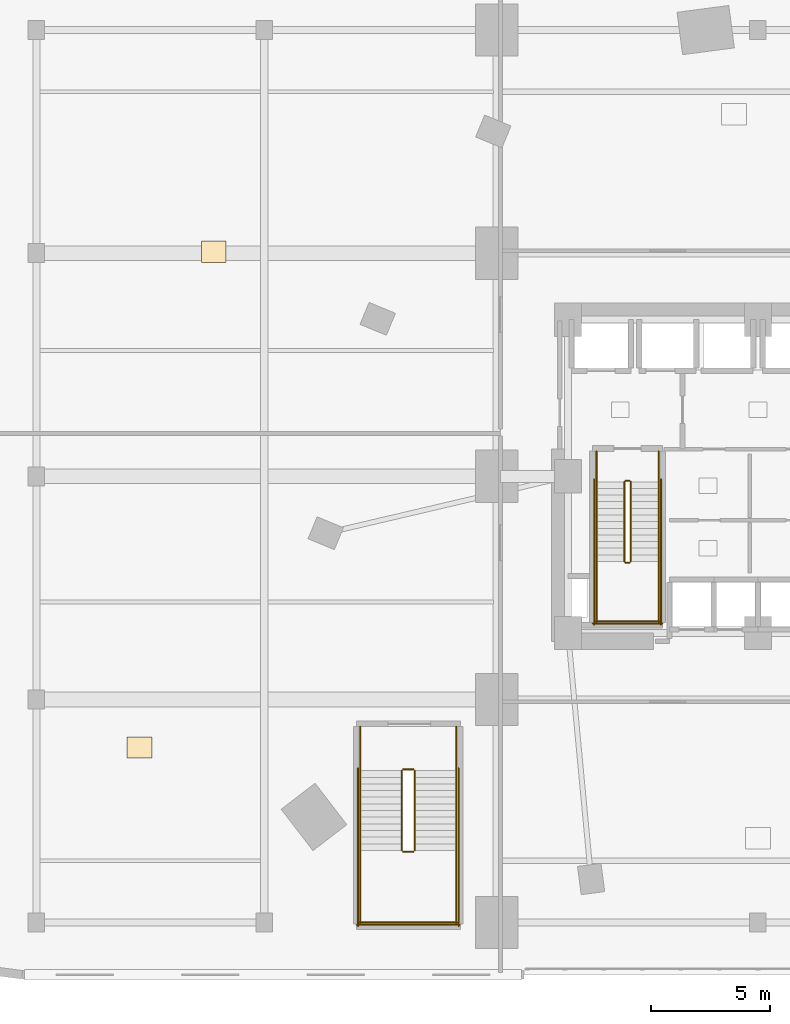
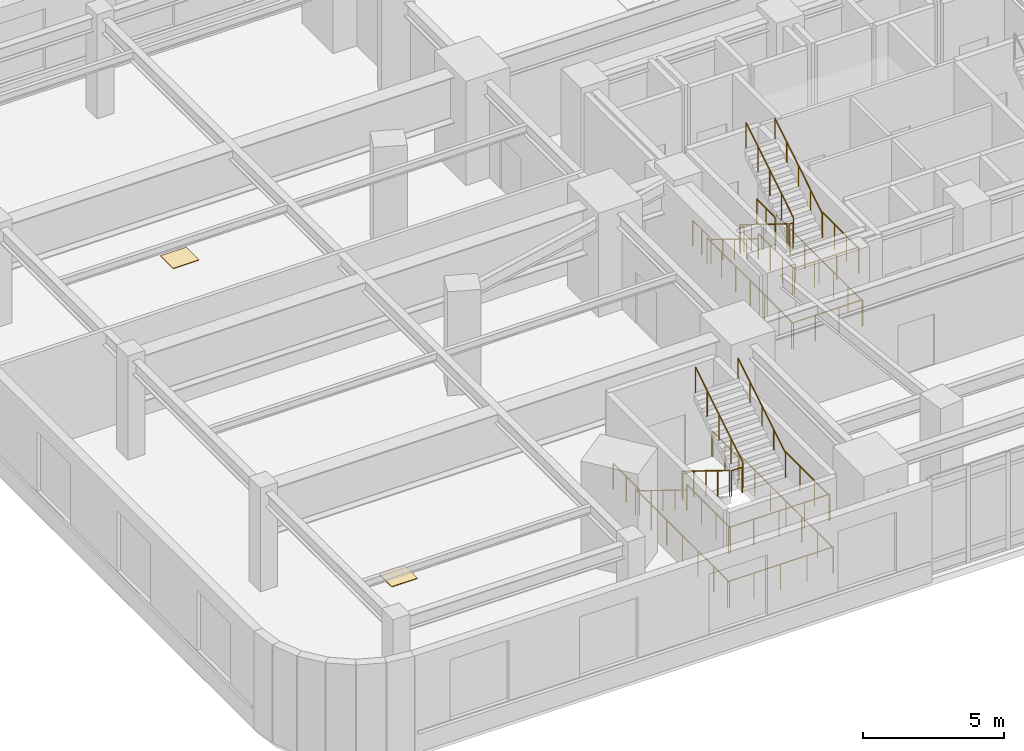
# One storey, part 17 of 19: 28 railings, 2 coverings.
"""IFC4 building model written with IfcOpenShell, lengths in metres."""

import ifcopenshell
import ifcopenshell.guid

model = None  # the IFC model being written
_history = None  # IfcOwnerHistory: only IFC2X3 demands one
_inside = {}  # id of a spatial element -> (the spatial element, [elements in it])
_under = {}  # id of a project, library or spatial element -> (it, [spatial elements below it])
_declared = {}  # id of a project -> (the project, [libraries it declares])
_typed = {}  # id of a type object -> (the type object, [elements of that type])
_made_of = {}  # id of a material, layer set ... -> (it, [elements and type objects made of it])


def new_model(schema):
    """Start an empty IFC model of exactly this schema.

    Asked for "IFC4X3", IfcOpenShell would pick the latest addendum, in which some entities
    have other attributes; the version numbers below select the first issue.
    IFC2X3 requires an IfcOwnerHistory on every rooted entity: one is made here for all.
    """
    global model, _history
    if schema == "IFC4X3":
        model = ifcopenshell.file(schema_version=(4, 3, 0, 0))
    else:
        model = ifcopenshell.file(schema=schema)
    _inside.clear()
    _under.clear()
    _declared.clear()
    _typed.clear()
    _made_of.clear()
    _history = None
    if model.schema == "IFC2X3":
        org = make("IfcOrganization", Name="unknown")
        user = make(
            "IfcPersonAndOrganization",
            ThePerson=make("IfcPerson", FamilyName="unknown"),
            TheOrganization=org,
        )
        app = make(
            "IfcApplication",
            ApplicationDeveloper=org,
            Version="unknown",
            ApplicationFullName="unknown",
            ApplicationIdentifier="unknown",
        )
        _history = make(
            "IfcOwnerHistory",
            OwningUser=user,
            OwningApplication=app,
            ChangeAction="ADDED",
            CreationDate=0,
        )
    return model


def make(cls, **values):
    """One entity of the class cls with the attributes given. An attribute that is None is left unset."""
    return model.create_entity(
        cls, **{name: value for name, value in values.items() if value is not None}
    )


def rooted(cls, **values):
    """An entity with a GlobalId (a new one), such as an element, a storey or a relation."""
    return make(cls, GlobalId=ifcopenshell.guid.new(), OwnerHistory=_history, **values)


def si_unit(unit_type, name, prefix=None):
    """IfcSIUnit, for example si_unit("LENGTHUNIT", "METRE", prefix="MILLI")."""
    return make("IfcSIUnit", UnitType=unit_type, Prefix=prefix, Name=name)


def assignment(units):
    """IfcUnitAssignment: the units of a project."""
    return None if units is None else make("IfcUnitAssignment", Units=units)


def point(xyz):
    """IfcCartesianPoint."""
    return None if xyz is None else make("IfcCartesianPoint", Coordinates=xyz)


def direction(xyz):
    """IfcDirection."""
    return None if xyz is None else make("IfcDirection", DirectionRatios=xyz)


def frame(location, z_axis=None, x_axis=None):
    """IfcAxis2Placement3D, a coordinate frame: its origin and axes. An axis left out is left unset."""
    return make(
        "IfcAxis2Placement3D",
        Location=point(location),
        Axis=direction(z_axis),
        RefDirection=direction(x_axis),
    )


def frame_2d(location, x_axis=None):
    """IfcAxis2Placement2D, a coordinate frame in the plane: its origin and x axis."""
    return make(
        "IfcAxis2Placement2D", Location=point(location), RefDirection=direction(x_axis)
    )


def origin():
    """The frame at (0, 0, 0) with its axes left unset."""
    return frame((0.0, 0.0, 0.0))


def origin_2d():
    """The frame at (0, 0) in the plane with its x axis left unset."""
    return frame_2d((0.0, 0.0))


def place(relative_to, where):
    """IfcLocalPlacement: puts the frame where relative to a parent placement (None: the world)."""
    return make(
        "IfcLocalPlacement", PlacementRelTo=relative_to, RelativePlacement=where
    )


def context(
    kind, dimensions, precision=None, world=None, true_north=None, identifier=None
):
    """IfcGeometricRepresentationContext, for example the 3D "Model" context."""
    return make(
        "IfcGeometricRepresentationContext",
        ContextIdentifier=identifier,
        ContextType=kind,
        CoordinateSpaceDimension=dimensions,
        Precision=precision,
        WorldCoordinateSystem=world,
        TrueNorth=true_north,
    )


def subcontext(parent, identifier, kind, view, scale=None):
    """IfcGeometricRepresentationSubContext, for example "Body" below "Model"."""
    return make(
        "IfcGeometricRepresentationSubContext",
        ContextIdentifier=identifier,
        ContextType=kind,
        ParentContext=parent,
        TargetScale=scale,
        TargetView=view,
    )


def project(units=None, contexts=None):
    """IfcProject with its units and contexts."""
    return rooted(
        "IfcProject",
        Name="project",
        RepresentationContexts=contexts,
        UnitsInContext=assignment(units),
    )


def spatial(cls, under=None, at=None, **own):
    """A site, building, storey or space (cls), placed at a placement, below another one or the project."""
    s = rooted(cls, ObjectPlacement=at, **own)
    if under is not None:
        _under.setdefault(under.id(), (under, []))[1].append(s)
    return s


def profile(cls, at=None, kind="AREA", **sizes):
    """A parametric profile (cls). Its sizes go by their IFC names, for example OverallWidth=200.0."""
    return make(cls, ProfileType=kind, Position=at, **sizes)


def rectangle(**sizes):
    """IfcRectangleProfileDef."""
    return profile("IfcRectangleProfileDef", **sizes)


def circle(**sizes):
    """IfcCircleProfileDef."""
    return profile("IfcCircleProfileDef", **sizes)


def extrude(swept, where, along, depth):
    """IfcExtrudedAreaSolid: the profile swept, set in the frame where, extruded along a direction by depth."""
    return make(
        "IfcExtrudedAreaSolid",
        SweptArea=swept,
        Position=where,
        ExtrudedDirection=direction(along),
        Depth=depth,
    )


def shape(context_of_items, identifier, shape_type, items):
    """IfcShapeRepresentation: the items that make up one representation, for example the "Body"."""
    return make(
        "IfcShapeRepresentation",
        ContextOfItems=context_of_items,
        RepresentationIdentifier=identifier,
        RepresentationType=shape_type,
        Items=items,
    )


def material(Name=None, Category=None):
    """IfcMaterial."""
    return make("IfcMaterial", Name=Name, Category=Category)


def layer(
    of_material, thickness, ventilated=None, Name=None, Category=None, Priority=None
):
    """IfcMaterialLayer: one layer of a wall or slab, of a material (None: an air gap)."""
    return make(
        "IfcMaterialLayer",
        Material=of_material,
        LayerThickness=thickness,
        IsVentilated=ventilated,
        Name=Name,
        Category=Category,
        Priority=Priority,
    )


def layer_set(layers, Name=None):
    """IfcMaterialLayerSet."""
    return make("IfcMaterialLayerSet", MaterialLayers=layers, LayerSetName=Name)


def made_of(thing, what):
    """Note that an element or type object is made of a material, layer set ...; save() writes the relation."""
    if what is not None:
        _made_of.setdefault(what.id(), (what, []))[1].append(thing)
    return thing


def type_object(cls, material=None, **own):
    """A type object (cls), such as IfcWallType, which elements share."""
    return made_of(rooted(cls, **own), material)


def element(
    cls,
    number,
    at=None,
    inside=None,
    cuts=None,
    type_object=None,
    material=None,
    context=None,
    identifier="Body",
    shape_type=None,
    held_by="IfcProductDefinitionShape",
    body=None,
    shapes=None,
    **own,
):
    """One element of the class cls, such as IfcWall. Its Tag is "e" and its number.

    at: its placement. inside: the storey or other place that contains it. cuts: it is an
    opening in that element (IfcRelVoidsElement). A single representation is given by context,
    identifier, shape_type and body (its items); several are given by shapes. held_by: the class
    of the entity that holds the representations. save() writes the other relations.
    """
    e = rooted(cls, Tag="e%d" % number, ObjectPlacement=at, **own)
    if body is not None:
        shapes = [shape(context, identifier, shape_type, body)]
    if shapes is not None:
        e.Representation = make(held_by, Representations=shapes)
    if inside is not None:
        _inside.setdefault(inside.id(), (inside, []))[1].append(e)
    if cuts is not None:
        rooted(
            "IfcRelVoidsElement", RelatingBuildingElement=cuts, RelatedOpeningElement=e
        )
    if type_object is not None:
        _typed.setdefault(type_object.id(), (type_object, []))[1].append(e)
    return made_of(e, material)


def aggregate(whole, parts):
    """IfcRelAggregates: a whole, such as a stair, and the parts it consists of."""
    return rooted("IfcRelAggregates", RelatingObject=whole, RelatedObjects=parts)


def save(model, path):
    """Write the relations noted so far, then the file.

    IfcRelAggregates (storeys below a building ...), IfcRelContainedInSpatialStructure (elements
    in a storey), IfcRelDefinesByType, IfcRelAssociatesMaterial and IfcRelDeclares: one each for
    every whole, place, type object, material and project.
    """
    for whole, parts in _under.values():
        aggregate(whole, parts)
    for where, things in _inside.values():
        rooted(
            "IfcRelContainedInSpatialStructure",
            RelatedElements=things,
            RelatingStructure=where,
        )
    for kind, things in _typed.values():
        rooted("IfcRelDefinesByType", RelatedObjects=things, RelatingType=kind)
    for what, things in _made_of.values():
        rooted("IfcRelAssociatesMaterial", RelatedObjects=things, RelatingMaterial=what)
    for by, libraries in _declared.values():
        rooted("IfcRelDeclares", RelatingContext=by, RelatedDefinitions=libraries)
    model.write(path)


model = new_model("IFC4")

# Units and contexts
model_context = context("Model", 3, precision=1e-05, world=origin(), true_north=direction((0.0, 1.0)))
body_context = subcontext(model_context, "Body", "Model", "MODEL_VIEW")
ifc_project = project(units=[si_unit("LENGTHUNIT", "METRE"), si_unit("AREAUNIT", "SQUARE_METRE"), si_unit("VOLUMEUNIT", "CUBIC_METRE"), si_unit("PLANEANGLEUNIT", "RADIAN"), si_unit("MASSUNIT", "GRAM", prefix="KILO")], contexts=[model_context])

# Site, building, storey
site_placement = place(None, origin())
site = spatial("IfcSite", under=ifc_project, at=site_placement, CompositionType="ELEMENT")
building_placement = place(site_placement, origin())
building = spatial("IfcBuilding", under=site, at=building_placement, Name="Ndelora Gate Hotel", CompositionType="ELEMENT")
storey_placement = place(building_placement, frame((0.0, 0.0, 21.5)))
storey = spatial("IfcBuildingStorey", under=building, at=storey_placement, Name="L04", CompositionType="ELEMENT", Elevation=21.5)

# Coverings
ifc_material_1 = material(Name="Engineered Highland Oak Parquet", Category="wood")
ifc_layer_1 = layer(ifc_material_1, 0.030029296875)
ifc_layer_set_1 = layer_set([ifc_layer_1], Name="Engineered Highland Oak Parquet")
covering_type = type_object("IfcCoveringType", Name="COV-FLR-PARQ", PredefinedType="FLOORING", material=ifc_layer_set_1)
for number, where, z_axis, x_axis, name in (
    (1, (-26.050048828125, -11.423583984375, 0.0), (0.0, 0.0, 1.0), (1.0, 0.0, 0.0), "L04 Breakout Meeting Hall West Oak Parquet Flooring"),
    (2, (-22.925048828125, 9.46875, 0.0), (0.0, 0.0, 1.0), (1.0, 0.0, 0.0), "L04 Summit Syndicate Conference Room Oak Parquet Flooring"),
):
    element("IfcCovering", number, at=place(storey_placement, frame(where, z_axis=z_axis, x_axis=x_axis)), inside=storey, type_object=covering_type, Name=name, PredefinedType="FLOORING", context=body_context, shape_type="SweptSolid", body=[
        extrude(rectangle(XDim=1.050048828125, YDim=0.89990234375, at=origin_2d()), origin(), (0.0, 0.0, 1.0), 0.030029296875),
    ])

# Railings
ifc_material_2 = material(Name="Painted Galvanized Steel Balustrade", Category="steel")
ifc_layer_2 = layer(ifc_material_2, 0.06005859375)
ifc_layer_set_2 = layer_set([ifc_layer_2], Name="Painted Galvanized Steel Balustrade")
railing_type_1 = type_object("IfcRailingType", Name="RL-STAIR-GD", PredefinedType="GUARDRAIL", material=ifc_layer_set_2)
railing_1_placement = place(storey_placement, frame((-5.6201171875, -0.22998046875, 0.173095703125)))
element("IfcRailing", 3, at=railing_1_placement, inside=storey, type_object=railing_type_1, Name="L04 ST4 stair guard 1", PredefinedType="GUARDRAIL", context=body_context, shape_type="SweptSolid", body=[
    extrude(circle(Radius=0.02392578125, at=origin_2d()), frame((0.0, 0.0, 1.10595703125), z_axis=(0.0, -0.850623216509, 0.525775754039), x_axis=(1.0, 0.0, 0.0)), (0.0, 0.0, 1.0), 3.9501953125),
    extrude(circle(Radius=0.02099609375, at=origin_2d()), origin(), (0.0, 0.0, 1.0), 1.081787109375),
    extrude(circle(Radius=0.02099609375, at=origin_2d()), frame((0.0, -0.840087890625, 0.519287109375)), (0.0, 0.0, 1.0), 1.081787109375),
    extrude(circle(Radius=0.02099609375, at=origin_2d()), frame((0.0, -1.68017578125, 1.03857421875)), (0.0, 0.0, 1.0), 1.081787109375),
    extrude(circle(Radius=0.02099609375, at=origin_2d()), frame((0.0, -2.52001953125, 1.5576171875)), (0.0, 0.0, 1.0), 1.081787109375),
    extrude(circle(Radius=0.02099609375, at=origin_2d()), frame((0.0, -3.360107421875, 2.076904296875)), (0.0, 0.0, 1.0), 1.081787109375),
])
railing_2_placement = place(storey_placement, frame((-5.570068359375, -3.639892578125, 2.25)))
element("IfcRailing", 4, at=railing_2_placement, inside=storey, type_object=railing_type_1, Name="L04 ST4 stair guard 2", PredefinedType="GUARDRAIL", context=body_context, shape_type="SweptSolid", body=[
    extrude(circle(Radius=0.02392578125, at=origin_2d()), frame((0.0, 0.0, 1.10595703125), z_axis=(1.0, 0.0, 0.0), x_axis=(0.0, 1.0, 0.0)), (0.0, 0.0, 1.0), 0.16015625),
    extrude(circle(Radius=0.02099609375, at=origin_2d()), origin(), (0.0, 0.0, 1.0), 1.081787109375),
    extrude(circle(Radius=0.02099609375, at=origin_2d()), frame((0.16015625, 0.0, 0.0)), (0.0, 0.0, 1.0), 1.081787109375),
])
for number, where, name in (
    (5, (-6.800048828125, -3.590087890625, 2.25), "L04 ST4 stair guard 3"),
    (6, (-4.179931640625, -3.590087890625, 2.25), "L04 ST4 stair guard 4"),
):
    element("IfcRailing", number, at=place(storey_placement, frame(where)), inside=storey, type_object=railing_type_1, Name=name, PredefinedType="GUARDRAIL", context=body_context, shape_type="SweptSolid", body=[
        extrude(circle(Radius=0.02392578125, at=origin_2d()), frame((0.0, 0.0, 1.10595703125), z_axis=(0.0, -1.0, 0.0), x_axis=(1.0, 0.0, 0.0)), (0.0, 0.0, 1.0), 2.559814453125),
        extrude(circle(Radius=0.02099609375, at=origin_2d()), origin(), (0.0, 0.0, 1.0), 1.081787109375),
        extrude(circle(Radius=0.02099609375, at=origin_2d()), frame((0.0, -0.853271484375, 0.0)), (0.0, 0.0, 1.0), 1.081787109375),
        extrude(circle(Radius=0.02099609375, at=origin_2d()), frame((0.0, -1.70654296875, 0.0)), (0.0, 0.0, 1.0), 1.081787109375),
        extrude(circle(Radius=0.02099609375, at=origin_2d()), frame((0.0, -2.559814453125, 0.0)), (0.0, 0.0, 1.0), 1.081787109375),
    ])
railing_3_placement = place(storey_placement, frame((-6.85009765625, -6.10009765625, 2.25)))
element("IfcRailing", 7, at=railing_3_placement, inside=storey, type_object=railing_type_1, Name="L04 ST4 stair guard 5", PredefinedType="GUARDRAIL", context=body_context, shape_type="SweptSolid", body=[
    extrude(circle(Radius=0.02392578125, at=origin_2d()), frame((0.0, 0.0, 1.10595703125), z_axis=(1.0, 0.0, 0.0), x_axis=(0.0, 1.0, 0.0)), (0.0, 0.0, 1.0), 2.72021484375),
    extrude(circle(Radius=0.02099609375, at=origin_2d()), origin(), (0.0, 0.0, 1.0), 1.081787109375),
    extrude(circle(Radius=0.02099609375, at=origin_2d()), frame((0.90673828125, 0.0, 0.0)), (0.0, 0.0, 1.0), 1.081787109375),
    extrude(circle(Radius=0.02099609375, at=origin_2d()), frame((1.8134765625, 0.0, 0.0)), (0.0, 0.0, 1.0), 1.081787109375),
    extrude(circle(Radius=0.02099609375, at=origin_2d()), frame((2.72021484375, 0.0, 0.0)), (0.0, 0.0, 1.0), 1.081787109375),
])
railing_4_placement = place(storey_placement, frame((-5.360107421875, -3.590087890625, 2.423095703125)))
element("IfcRailing", 8, at=railing_4_placement, inside=storey, type_object=railing_type_1, Name="L04 ST4 stair guard 6", PredefinedType="GUARDRAIL", context=body_context, shape_type="SweptSolid", body=[
    extrude(circle(Radius=0.02392578125, at=origin_2d()), frame((0.0, 0.0, 1.10595703125), z_axis=(0.0, 0.850623216509, 0.525775754039), x_axis=(-1.0, 0.0, 0.0)), (0.0, 0.0, 1.0), 3.9501953125),
    extrude(circle(Radius=0.02099609375, at=origin_2d()), origin(), (0.0, 0.0, 1.0), 1.081787109375),
    extrude(circle(Radius=0.02099609375, at=origin_2d()), frame((0.0, 0.840087890625, 0.519287109375)), (0.0, 0.0, 1.0), 1.081787109375),
    extrude(circle(Radius=0.02099609375, at=origin_2d()), frame((0.0, 1.68017578125, 1.03857421875)), (0.0, 0.0, 1.0), 1.081787109375),
    extrude(circle(Radius=0.02099609375, at=origin_2d()), frame((0.0, 2.52001953125, 1.5576171875)), (0.0, 0.0, 1.0), 1.081787109375),
    extrude(circle(Radius=0.02099609375, at=origin_2d()), frame((0.0, 3.360107421875, 2.076904296875)), (0.0, 0.0, 1.0), 1.081787109375),
])
railing_5_placement = place(storey_placement, frame((-5.570068359375, -0.179931640625, 0.0)))
element("IfcRailing", 9, at=railing_5_placement, inside=storey, type_object=railing_type_1, Name="L04 ST4 stair guard 7", PredefinedType="GUARDRAIL", context=body_context, shape_type="SweptSolid", body=[
    extrude(circle(Radius=0.02392578125, at=origin_2d()), frame((0.0, 0.0, 1.10595703125), z_axis=(1.0, 0.0, 0.0), x_axis=(0.0, 1.0, 0.0)), (0.0, 0.0, 1.0), 0.16015625),
    extrude(circle(Radius=0.02099609375, at=origin_2d()), origin(), (0.0, 0.0, 1.0), 1.081787109375),
    extrude(circle(Radius=0.02099609375, at=origin_2d()), frame((0.16015625, 0.0, 0.0)), (0.0, 0.0, 1.0), 1.081787109375),
])
for number, where, name in (
    (10, (-6.800048828125, 1.050048828125, 0.0), "L04 ST4 stair guard 8"),
    (11, (-4.179931640625, 1.050048828125, 0.0), "L04 ST4 stair guard 9"),
):
    element("IfcRailing", number, at=place(storey_placement, frame(where)), inside=storey, type_object=railing_type_1, Name=name, PredefinedType="GUARDRAIL", context=body_context, shape_type="SweptSolid", body=[
        extrude(circle(Radius=0.02392578125, at=origin_2d()), frame((0.0, 0.0, 1.10595703125), z_axis=(0.0, -1.0, 0.0), x_axis=(1.0, 0.0, 0.0)), (0.0, 0.0, 1.0), 1.280029296875),
        extrude(circle(Radius=0.02099609375, at=origin_2d()), origin(), (0.0, 0.0, 1.0), 1.081787109375),
        extrude(circle(Radius=0.02099609375, at=origin_2d()), frame((0.0, -0.64013671875, 0.0)), (0.0, 0.0, 1.0), 1.081787109375),
        extrude(circle(Radius=0.02099609375, at=origin_2d()), frame((0.0, -1.280029296875, 0.0)), (0.0, 0.0, 1.0), 1.081787109375),
    ])
for number, where, name in (
    (12, (-6.89990234375, -0.1298828125, 0.0), "L04 ST4 stair guard 10"),
    (13, (-4.080078125, -0.1298828125, 0.0), "L04 ST4 stair guard 11"),
):
    element("IfcRailing", number, at=place(storey_placement, frame(where)), inside=storey, type_object=railing_type_1, Name=name, PredefinedType="GUARDRAIL", context=body_context, shape_type="SweptSolid", body=[
        extrude(circle(Radius=0.02392578125, at=origin_2d()), frame((0.0, 0.0, 1.10595703125), z_axis=(0.0, -1.0, 0.0), x_axis=(1.0, 0.0, 0.0)), (0.0, 0.0, 1.0), 6.1201171875),
        extrude(circle(Radius=0.02099609375, at=origin_2d()), origin(), (0.0, 0.0, 1.0), 1.081787109375),
        extrude(circle(Radius=0.02099609375, at=origin_2d()), frame((0.0, -1.02001953125, 0.0)), (0.0, 0.0, 1.0), 1.081787109375),
        extrude(circle(Radius=0.02099609375, at=origin_2d()), frame((0.0, -2.0400390625, 0.0)), (0.0, 0.0, 1.0), 1.081787109375),
        extrude(circle(Radius=0.02099609375, at=origin_2d()), frame((0.0, -3.06005859375, 0.0)), (0.0, 0.0, 1.0), 1.081787109375),
        extrude(circle(Radius=0.02099609375, at=origin_2d()), frame((0.0, -4.080078125, 0.0)), (0.0, 0.0, 1.0), 1.081787109375),
        extrude(circle(Radius=0.02099609375, at=origin_2d()), frame((0.0, -5.10009765625, 0.0)), (0.0, 0.0, 1.0), 1.081787109375),
        extrude(circle(Radius=0.02099609375, at=origin_2d()), frame((0.0, -6.1201171875, 0.0)), (0.0, 0.0, 1.0), 1.081787109375),
    ])
railing_6_placement = place(storey_placement, frame((-6.949951171875, -6.199951171875, 0.0)))
element("IfcRailing", 14, at=railing_6_placement, inside=storey, type_object=railing_type_1, Name="L04 ST4 stair guard 12", PredefinedType="GUARDRAIL", context=body_context, shape_type="SweptSolid", body=[
    extrude(circle(Radius=0.02392578125, at=origin_2d()), frame((0.0, 0.0, 1.10595703125), z_axis=(1.0, 0.0, 0.0), x_axis=(0.0, 1.0, 0.0)), (0.0, 0.0, 1.0), 2.919921875),
    extrude(circle(Radius=0.02099609375, at=origin_2d()), origin(), (0.0, 0.0, 1.0), 1.081787109375),
    extrude(circle(Radius=0.02099609375, at=origin_2d()), frame((0.973388671875, 0.0, 0.0)), (0.0, 0.0, 1.0), 1.081787109375),
    extrude(circle(Radius=0.02099609375, at=origin_2d()), frame((1.946533203125, 0.0, 0.0)), (0.0, 0.0, 1.0), 1.081787109375),
    extrude(circle(Radius=0.02099609375, at=origin_2d()), frame((2.919921875, 0.0, 0.0)), (0.0, 0.0, 1.0), 1.081787109375),
])
railing_7_placement = place(storey_placement, frame((-15.0, -12.39990234375, 0.173095703125)))
element("IfcRailing", 15, at=railing_7_placement, inside=storey, type_object=railing_type_1, Name="L04 ST3A stair guard 1", PredefinedType="GUARDRAIL", context=body_context, shape_type="SweptSolid", body=[
    extrude(circle(Radius=0.02392578125, at=origin_2d()), frame((0.0, 0.0, 1.10595703125), z_axis=(0.0, -0.850623216509, 0.525775754039), x_axis=(1.0, 0.0, 0.0)), (0.0, 0.0, 1.0), 3.9501953125),
    extrude(circle(Radius=0.02099609375, at=origin_2d()), origin(), (0.0, 0.0, 1.0), 1.081787109375),
    extrude(circle(Radius=0.02099609375, at=origin_2d()), frame((0.0, -0.840087890625, 0.519287109375)), (0.0, 0.0, 1.0), 1.081787109375),
    extrude(circle(Radius=0.02099609375, at=origin_2d()), frame((0.0, -1.68017578125, 1.03857421875)), (0.0, 0.0, 1.0), 1.081787109375),
    extrude(circle(Radius=0.02099609375, at=origin_2d()), frame((0.0, -2.52001953125, 1.5576171875)), (0.0, 0.0, 1.0), 1.081787109375),
    extrude(circle(Radius=0.02099609375, at=origin_2d()), frame((0.0, -3.360107421875, 2.076904296875)), (0.0, 0.0, 1.0), 1.081787109375),
])
railing_8_placement = place(storey_placement, frame((-14.949951171875, -15.81005859375, 2.25)))
element("IfcRailing", 16, at=railing_8_placement, inside=storey, type_object=railing_type_1, Name="L04 ST3A stair guard 2", PredefinedType="GUARDRAIL", context=body_context, shape_type="SweptSolid", body=[
    extrude(circle(Radius=0.02392578125, at=origin_2d()), frame((0.0, 0.0, 1.10595703125), z_axis=(1.0, 0.0, 0.0), x_axis=(0.0, 1.0, 0.0)), (0.0, 0.0, 1.0), 0.43994140625),
    extrude(circle(Radius=0.02099609375, at=origin_2d()), origin(), (0.0, 0.0, 1.0), 1.081787109375),
    extrude(circle(Radius=0.02099609375, at=origin_2d()), frame((0.43994140625, 0.0, 0.0)), (0.0, 0.0, 1.0), 1.081787109375),
])
for number, where, name in (
    (17, (-16.75, -15.760009765625, 2.25), "L04 ST3A stair guard 3"),
    (18, (-12.7099609375, -15.760009765625, 2.25), "L04 ST3A stair guard 4"),
):
    element("IfcRailing", number, at=place(storey_placement, frame(where)), inside=storey, type_object=railing_type_1, Name=name, PredefinedType="GUARDRAIL", context=body_context, shape_type="SweptSolid", body=[
        extrude(circle(Radius=0.02392578125, at=origin_2d()), frame((0.0, 0.0, 1.10595703125), z_axis=(0.0, -1.0, 0.0), x_axis=(1.0, 0.0, 0.0)), (0.0, 0.0, 1.0), 3.090087890625),
        extrude(circle(Radius=0.02099609375, at=origin_2d()), origin(), (0.0, 0.0, 1.0), 1.081787109375),
        extrude(circle(Radius=0.02099609375, at=origin_2d()), frame((0.0, -1.030029296875, 0.0)), (0.0, 0.0, 1.0), 1.081787109375),
        extrude(circle(Radius=0.02099609375, at=origin_2d()), frame((0.0, -2.06005859375, 0.0)), (0.0, 0.0, 1.0), 1.081787109375),
        extrude(circle(Radius=0.02099609375, at=origin_2d()), frame((0.0, -3.090087890625, 0.0)), (0.0, 0.0, 1.0), 1.081787109375),
    ])
railing_9_placement = place(storey_placement, frame((-16.800048828125, -18.800048828125, 2.25)))
element("IfcRailing", 19, at=railing_9_placement, inside=storey, type_object=railing_type_1, Name="L04 ST3A stair guard 5", PredefinedType="GUARDRAIL", context=body_context, shape_type="SweptSolid", body=[
    extrude(circle(Radius=0.02392578125, at=origin_2d()), frame((0.0, 0.0, 1.10595703125), z_axis=(1.0, 0.0, 0.0), x_axis=(0.0, 1.0, 0.0)), (0.0, 0.0, 1.0), 4.14013671875),
    extrude(circle(Radius=0.02099609375, at=origin_2d()), origin(), (0.0, 0.0, 1.0), 1.081787109375),
    extrude(circle(Radius=0.02099609375, at=origin_2d()), frame((1.03515625, 0.0, 0.0)), (0.0, 0.0, 1.0), 1.081787109375),
    extrude(circle(Radius=0.02099609375, at=origin_2d()), frame((2.070068359375, 0.0, 0.0)), (0.0, 0.0, 1.0), 1.081787109375),
    extrude(circle(Radius=0.02099609375, at=origin_2d()), frame((3.10498046875, 0.0, 0.0)), (0.0, 0.0, 1.0), 1.081787109375),
    extrude(circle(Radius=0.02099609375, at=origin_2d()), frame((4.14013671875, 0.0, 0.0)), (0.0, 0.0, 1.0), 1.081787109375),
])
railing_10_placement = place(storey_placement, frame((-14.4599609375, -15.760009765625, 2.423095703125)))
element("IfcRailing", 20, at=railing_10_placement, inside=storey, type_object=railing_type_1, Name="L04 ST3A stair guard 6", PredefinedType="GUARDRAIL", context=body_context, shape_type="SweptSolid", body=[
    extrude(circle(Radius=0.02392578125, at=origin_2d()), frame((0.0, 0.0, 1.10595703125), z_axis=(0.0, 0.850623216509, 0.525775754039), x_axis=(-1.0, 0.0, 0.0)), (0.0, 0.0, 1.0), 3.9501953125),
    extrude(circle(Radius=0.02099609375, at=origin_2d()), origin(), (0.0, 0.0, 1.0), 1.081787109375),
    extrude(circle(Radius=0.02099609375, at=origin_2d()), frame((0.0, 0.840087890625, 0.519287109375)), (0.0, 0.0, 1.0), 1.081787109375),
    extrude(circle(Radius=0.02099609375, at=origin_2d()), frame((0.0, 1.68017578125, 1.03857421875)), (0.0, 0.0, 1.0), 1.081787109375),
    extrude(circle(Radius=0.02099609375, at=origin_2d()), frame((0.0, 2.52001953125, 1.5576171875)), (0.0, 0.0, 1.0), 1.081787109375),
    extrude(circle(Radius=0.02099609375, at=origin_2d()), frame((0.0, 3.360107421875, 2.076904296875)), (0.0, 0.0, 1.0), 1.081787109375),
])
railing_11_placement = place(storey_placement, frame((-14.949951171875, -12.35009765625, 0.0)))
element("IfcRailing", 21, at=railing_11_placement, inside=storey, type_object=railing_type_1, Name="L04 ST3A stair guard 7", PredefinedType="GUARDRAIL", context=body_context, shape_type="SweptSolid", body=[
    extrude(circle(Radius=0.02392578125, at=origin_2d()), frame((0.0, 0.0, 1.10595703125), z_axis=(1.0, 0.0, 0.0), x_axis=(0.0, 1.0, 0.0)), (0.0, 0.0, 1.0), 0.43994140625),
    extrude(circle(Radius=0.02099609375, at=origin_2d()), origin(), (0.0, 0.0, 1.0), 1.081787109375),
    extrude(circle(Radius=0.02099609375, at=origin_2d()), frame((0.43994140625, 0.0, 0.0)), (0.0, 0.0, 1.0), 1.081787109375),
])
for number, where, name in (
    (22, (-16.75, -10.550048828125, 0.0), "L04 ST3A stair guard 8"),
    (23, (-12.7099609375, -10.550048828125, 0.0), "L04 ST3A stair guard 9"),
):
    element("IfcRailing", number, at=place(storey_placement, frame(where)), inside=storey, type_object=railing_type_1, Name=name, PredefinedType="GUARDRAIL", context=body_context, shape_type="SweptSolid", body=[
        extrude(circle(Radius=0.02392578125, at=origin_2d()), frame((0.0, 0.0, 1.10595703125), z_axis=(0.0, -1.0, 0.0), x_axis=(1.0, 0.0, 0.0)), (0.0, 0.0, 1.0), 1.849853515625),
        extrude(circle(Radius=0.02099609375, at=origin_2d()), origin(), (0.0, 0.0, 1.0), 1.081787109375),
        extrude(circle(Radius=0.02099609375, at=origin_2d()), frame((0.0, -0.9248046875, 0.0)), (0.0, 0.0, 1.0), 1.081787109375),
        extrude(circle(Radius=0.02099609375, at=origin_2d()), frame((0.0, -1.849853515625, 0.0)), (0.0, 0.0, 1.0), 1.081787109375),
    ])
for number, where, name in (
    (24, (-16.85009765625, -12.300048828125, 0.0), "L04 ST3A stair guard 10"),
    (25, (-12.610107421875, -12.300048828125, 0.0), "L04 ST3A stair guard 11"),
):
    element("IfcRailing", number, at=place(storey_placement, frame(where)), inside=storey, type_object=railing_type_1, Name=name, PredefinedType="GUARDRAIL", context=body_context, shape_type="SweptSolid", body=[
        extrude(circle(Radius=0.02392578125, at=origin_2d()), frame((0.0, 0.0, 1.10595703125), z_axis=(0.0, -1.0, 0.0), x_axis=(1.0, 0.0, 0.0)), (0.0, 0.0, 1.0), 6.64990234375),
        extrude(circle(Radius=0.02099609375, at=origin_2d()), origin(), (0.0, 0.0, 1.0), 1.081787109375),
        extrude(circle(Radius=0.02099609375, at=origin_2d()), frame((0.0, -1.1083984375, 0.0)), (0.0, 0.0, 1.0), 1.081787109375),
        extrude(circle(Radius=0.02099609375, at=origin_2d()), frame((0.0, -2.216552734375, 0.0)), (0.0, 0.0, 1.0), 1.081787109375),
        extrude(circle(Radius=0.02099609375, at=origin_2d()), frame((0.0, -3.324951171875, 0.0)), (0.0, 0.0, 1.0), 1.081787109375),
        extrude(circle(Radius=0.02099609375, at=origin_2d()), frame((0.0, -4.433349609375, 0.0)), (0.0, 0.0, 1.0), 1.081787109375),
        extrude(circle(Radius=0.02099609375, at=origin_2d()), frame((0.0, -5.54150390625, 0.0)), (0.0, 0.0, 1.0), 1.081787109375),
        extrude(circle(Radius=0.02099609375, at=origin_2d()), frame((0.0, -6.64990234375, 0.0)), (0.0, 0.0, 1.0), 1.081787109375),
    ])
railing_12_placement = place(storey_placement, frame((-16.89990234375, -18.89990234375, 0.0)))
element("IfcRailing", 26, at=railing_12_placement, inside=storey, type_object=railing_type_1, Name="L04 ST3A stair guard 12", PredefinedType="GUARDRAIL", context=body_context, shape_type="SweptSolid", body=[
    extrude(circle(Radius=0.02392578125, at=origin_2d()), frame((0.0, 0.0, 1.10595703125), z_axis=(1.0, 0.0, 0.0), x_axis=(0.0, 1.0, 0.0)), (0.0, 0.0, 1.0), 4.33984375),
    extrude(circle(Radius=0.02099609375, at=origin_2d()), origin(), (0.0, 0.0, 1.0), 1.081787109375),
    extrude(circle(Radius=0.02099609375, at=origin_2d()), frame((1.0849609375, 0.0, 0.0)), (0.0, 0.0, 1.0), 1.081787109375),
    extrude(circle(Radius=0.02099609375, at=origin_2d()), frame((2.169921875, 0.0, 0.0)), (0.0, 0.0, 1.0), 1.081787109375),
    extrude(circle(Radius=0.02099609375, at=origin_2d()), frame((3.2548828125, 0.0, 0.0)), (0.0, 0.0, 1.0), 1.081787109375),
    extrude(circle(Radius=0.02099609375, at=origin_2d()), frame((4.33984375, 0.0, 0.0)), (0.0, 0.0, 1.0), 1.081787109375),
])
ifc_material_3 = material(Name="Brushed Stainless Steel 316", Category="steel")
ifc_layer_3 = layer(ifc_material_3, 0.050048828125)
ifc_layer_set_3 = layer_set([ifc_layer_3], Name="Brushed Stainless Steel 316")
railing_type_2 = type_object("IfcRailingType", Name="RL-STAIR-HR", PredefinedType="HANDRAIL", material=ifc_layer_set_3)
railing_13_placement = place(storey_placement, frame((-6.800048828125, -0.22998046875, 0.173095703125)))
element("IfcRailing", 27, at=railing_13_placement, inside=storey, type_object=railing_type_2, Name="L04 ST4 stair handrail 1", PredefinedType="HANDRAIL", context=body_context, shape_type="SweptSolid", body=[
    extrude(circle(Radius=0.02392578125, at=origin_2d()), frame((0.0, 0.0, 0.8759765625), z_axis=(0.0, -0.850623216509, 0.525775754039), x_axis=(1.0, 0.0, 0.0)), (0.0, 0.0, 1.0), 3.9501953125),
    extrude(circle(Radius=0.02099609375, at=origin_2d()), origin(), (0.0, 0.0, 1.0), 0.851806640625),
    extrude(circle(Radius=0.02099609375, at=origin_2d()), frame((0.0, -0.840087890625, 0.519287109375)), (0.0, 0.0, 1.0), 0.851806640625),
    extrude(circle(Radius=0.02099609375, at=origin_2d()), frame((0.0, -1.68017578125, 1.03857421875)), (0.0, 0.0, 1.0), 0.851806640625),
    extrude(circle(Radius=0.02099609375, at=origin_2d()), frame((0.0, -2.52001953125, 1.5576171875)), (0.0, 0.0, 1.0), 0.851806640625),
    extrude(circle(Radius=0.02099609375, at=origin_2d()), frame((0.0, -3.360107421875, 2.076904296875)), (0.0, 0.0, 1.0), 0.851806640625),
])
railing_14_placement = place(storey_placement, frame((-4.179931640625, -3.590087890625, 2.423095703125)))
element("IfcRailing", 28, at=railing_14_placement, inside=storey, type_object=railing_type_2, Name="L04 ST4 stair handrail 2", PredefinedType="HANDRAIL", context=body_context, shape_type="SweptSolid", body=[
    extrude(circle(Radius=0.02392578125, at=origin_2d()), frame((0.0, 0.0, 0.8759765625), z_axis=(0.0, 0.850623216509, 0.525775754039), x_axis=(-1.0, 0.0, 0.0)), (0.0, 0.0, 1.0), 3.9501953125),
    extrude(circle(Radius=0.02099609375, at=origin_2d()), origin(), (0.0, 0.0, 1.0), 0.851806640625),
    extrude(circle(Radius=0.02099609375, at=origin_2d()), frame((0.0, 0.840087890625, 0.519287109375)), (0.0, 0.0, 1.0), 0.851806640625),
    extrude(circle(Radius=0.02099609375, at=origin_2d()), frame((0.0, 1.68017578125, 1.03857421875)), (0.0, 0.0, 1.0), 0.851806640625),
    extrude(circle(Radius=0.02099609375, at=origin_2d()), frame((0.0, 2.52001953125, 1.5576171875)), (0.0, 0.0, 1.0), 0.851806640625),
    extrude(circle(Radius=0.02099609375, at=origin_2d()), frame((0.0, 3.360107421875, 2.076904296875)), (0.0, 0.0, 1.0), 0.851806640625),
])
railing_15_placement = place(storey_placement, frame((-16.75, -12.39990234375, 0.173095703125)))
element("IfcRailing", 29, at=railing_15_placement, inside=storey, type_object=railing_type_2, Name="L04 ST3A stair handrail 1", PredefinedType="HANDRAIL", context=body_context, shape_type="SweptSolid", body=[
    extrude(circle(Radius=0.02392578125, at=origin_2d()), frame((0.0, 0.0, 0.8759765625), z_axis=(0.0, -0.850623216509, 0.525775754039), x_axis=(1.0, 0.0, 0.0)), (0.0, 0.0, 1.0), 3.9501953125),
    extrude(circle(Radius=0.02099609375, at=origin_2d()), origin(), (0.0, 0.0, 1.0), 0.851806640625),
    extrude(circle(Radius=0.02099609375, at=origin_2d()), frame((0.0, -0.840087890625, 0.519287109375)), (0.0, 0.0, 1.0), 0.851806640625),
    extrude(circle(Radius=0.02099609375, at=origin_2d()), frame((0.0, -1.68017578125, 1.03857421875)), (0.0, 0.0, 1.0), 0.851806640625),
    extrude(circle(Radius=0.02099609375, at=origin_2d()), frame((0.0, -2.52001953125, 1.5576171875)), (0.0, 0.0, 1.0), 0.851806640625),
    extrude(circle(Radius=0.02099609375, at=origin_2d()), frame((0.0, -3.360107421875, 2.076904296875)), (0.0, 0.0, 1.0), 0.851806640625),
])
railing_16_placement = place(storey_placement, frame((-12.7099609375, -15.760009765625, 2.423095703125)))
element("IfcRailing", 30, at=railing_16_placement, inside=storey, type_object=railing_type_2, Name="L04 ST3A stair handrail 2", PredefinedType="HANDRAIL", context=body_context, shape_type="SweptSolid", body=[
    extrude(circle(Radius=0.02392578125, at=origin_2d()), frame((0.0, 0.0, 0.8759765625), z_axis=(0.0, 0.850623216509, 0.525775754039), x_axis=(-1.0, 0.0, 0.0)), (0.0, 0.0, 1.0), 3.9501953125),
    extrude(circle(Radius=0.02099609375, at=origin_2d()), origin(), (0.0, 0.0, 1.0), 0.851806640625),
    extrude(circle(Radius=0.02099609375, at=origin_2d()), frame((0.0, 0.840087890625, 0.519287109375)), (0.0, 0.0, 1.0), 0.851806640625),
    extrude(circle(Radius=0.02099609375, at=origin_2d()), frame((0.0, 1.68017578125, 1.03857421875)), (0.0, 0.0, 1.0), 0.851806640625),
    extrude(circle(Radius=0.02099609375, at=origin_2d()), frame((0.0, 2.52001953125, 1.5576171875)), (0.0, 0.0, 1.0), 0.851806640625),
    extrude(circle(Radius=0.02099609375, at=origin_2d()), frame((0.0, 3.360107421875, 2.076904296875)), (0.0, 0.0, 1.0), 0.851806640625),
])

save(model, "model.ifc")
